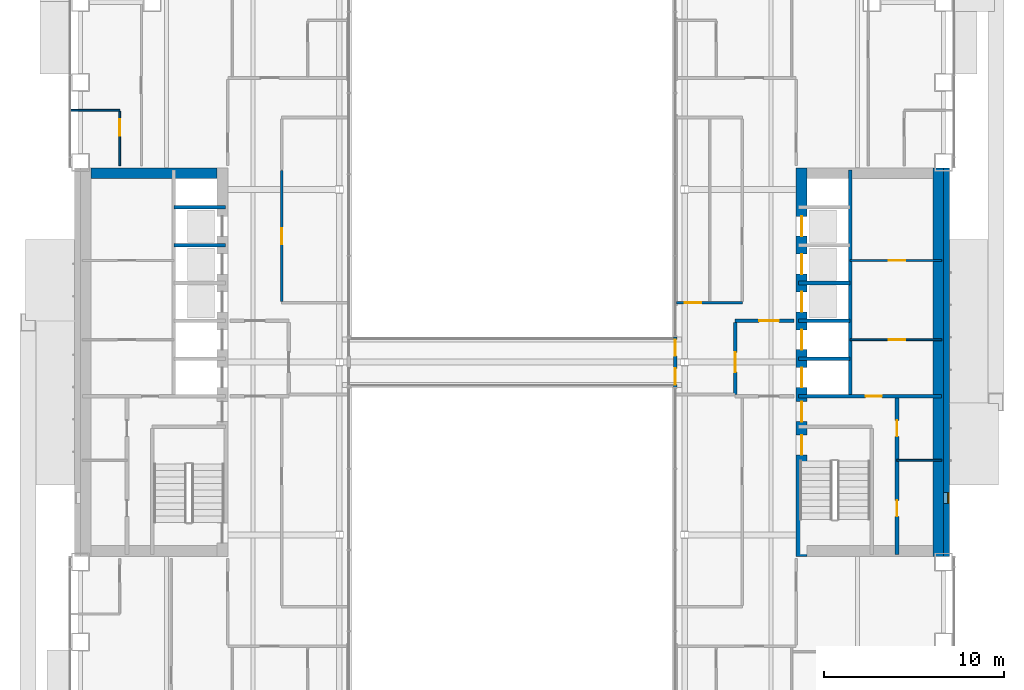
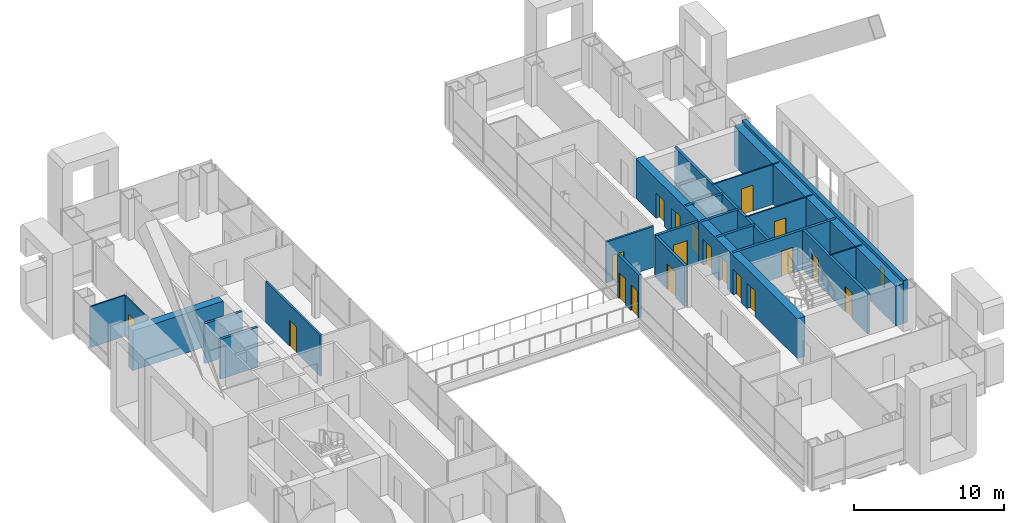
# One storey, part 19 of 26: 22 walls, 19 doors, 1 window, 20 openings.
"""IFC4 building model written with IfcOpenShell, lengths in metres."""

from ifc_helpers import new_model, si_unit, direction, frame, frame_2d, origin, place, context, subcontext, project, spatial, rectangle, extrude, material, layer, layer_set, type_object, element, fill, save


model = new_model("IFC4")

# Units and contexts
model_context = context("Model", 3, precision=1e-05, world=origin(), true_north=direction((0.0, 1.0)))
body_context = subcontext(model_context, "Body", "Model", "MODEL_VIEW")
ifc_project = project(units=[si_unit("LENGTHUNIT", "METRE"), si_unit("AREAUNIT", "SQUARE_METRE"), si_unit("VOLUMEUNIT", "CUBIC_METRE"), si_unit("PLANEANGLEUNIT", "RADIAN"), si_unit("MASSUNIT", "GRAM", prefix="KILO")], contexts=[model_context])

# Site, building, storey
site_placement = place(None, origin())
site = spatial("IfcSite", under=ifc_project, at=site_placement, CompositionType="ELEMENT")
building_placement = place(site_placement, origin())
building = spatial("IfcBuilding", under=site, at=building_placement, Name="Cobrizo Arcos Hotel Tower", CompositionType="ELEMENT")
storey_placement = place(building_placement, frame((0.0, 0.0, 67.0)))
storey = spatial("IfcBuildingStorey", under=building, at=storey_placement, Name="L15", CompositionType="ELEMENT", Elevation=67.0)

# Wall, opening, door
ifc_material_1 = material(Name="Gypsum board partition")
ifc_layer_1 = layer(ifc_material_1, 0.14990234375)
ifc_layer_set_1 = layer_set([ifc_layer_1], Name="Corridor wall EI 60 150")
wall_type_1 = type_object("IfcWallType", Name="Corridor wall EI 60 150", PredefinedType="PARTITIONING", material=ifc_layer_set_1)
wall_1_placement = place(storey_placement, frame((9.14990234375, 3.300048828125, 0.0), z_axis=(0.0, 0.0, 1.0), x_axis=(1.0, 0.0, 0.0)))
wall_1 = element("IfcWall", 1, at=wall_1_placement, inside=storey, type_object=wall_type_1, Name="Partition 029", PredefinedType="PARTITIONING", context=body_context, shape_type="SweptSolid", body=[
    extrude(rectangle(XDim=3.650146484375, YDim=0.14990234375, at=frame_2d((1.8251953125, 0.0))), origin(), (0.0, 0.0, 1.0), 3.35009765625),
])
opening_1_placement = place(wall_1_placement, frame((0.4619140625, 0.0, 0.0)))
opening_1 = element("IfcOpeningElement", 2, at=opening_1_placement, cuts=wall_1, Name="Opening ED-09", PredefinedType="OPENING", context=body_context, shape_type="SweptSolid", body=[
    extrude(rectangle(XDim=0.89990234375, YDim=2.10009765625, at=frame_2d((0.449951171875, 1.050048828125))), frame((0.0, 0.0869140625, 0.0), z_axis=(0.0, -1.0, 0.0), x_axis=(1.0, 0.0, 0.0)), (0.0, 0.0, 1.0), 0.173828125),
])
ifc_material_2 = material(Name="Timber door leaf", Category="wood")
door_type_1 = type_object("IfcDoorType", Name="En-suite door 900x2100", OperationType="SINGLE_SWING_LEFT", PredefinedType="DOOR", material=ifc_material_2)
door_1_placement = place(opening_1_placement, origin())
door_1 = element("IfcDoor", 3, at=door_1_placement, inside=storey, type_object=door_type_1, Name="Door ED-09", OperationType="SINGLE_SWING_LEFT", OverallHeight=2.10009765625, OverallWidth=0.89990234375, PredefinedType="DOOR", context=body_context, shape_type="SweptSolid", body=[
    extrude(rectangle(XDim=0.89990234375, YDim=2.10009765625, at=frame_2d((0.449951171875, 1.050048828125))), frame((0.0, 0.02490234375, 0.0), z_axis=(0.0, -1.0, 0.0), x_axis=(1.0, 0.0, 0.0)), (0.0, 0.0, 1.0), 0.050048828125),
])
fill(opening_1, door_1)

wall_2_placement = place(storey_placement, frame((-12.800048828125, 3.375, 0.0), z_axis=(0.0, 0.0, 1.0), x_axis=(0.0, 1.0, 0.0)))
wall_2 = element("IfcWall", 4, at=wall_2_placement, inside=storey, type_object=wall_type_1, Name="Partition 058", PredefinedType="PARTITIONING", context=body_context, shape_type="SweptSolid", body=[
    extrude(rectangle(XDim=7.27490234375, YDim=0.14990234375, at=frame_2d((3.637451171875, 0.0))), origin(), (0.0, 0.0, 1.0), 3.35009765625),
])
opening_2_placement = place(wall_2_placement, frame((3.175048828125, 0.0, 0.0)))
opening_2 = element("IfcOpeningElement", 5, at=opening_2_placement, cuts=wall_2, Name="Opening RD-15", PredefinedType="OPENING", context=body_context, shape_type="SweptSolid", body=[
    extrude(rectangle(XDim=0.89990234375, YDim=2.10009765625, at=frame_2d((0.449951171875, 1.050048828125))), frame((0.0, 0.0869140625, 0.0), z_axis=(0.0, -1.0, 0.0), x_axis=(1.0, 0.0, 0.0)), (0.0, 0.0, 1.0), 0.173828125),
])
door_type_2 = type_object("IfcDoorType", Name="Room door FD30 900x2100", OperationType="SINGLE_SWING_LEFT", PredefinedType="DOOR", material=ifc_material_2)
door_2_placement = place(opening_2_placement, origin())
door_2 = element("IfcDoor", 6, at=door_2_placement, inside=storey, type_object=door_type_2, Name="Door RD-15", OperationType="SINGLE_SWING_LEFT", OverallHeight=2.10009765625, OverallWidth=0.89990234375, PredefinedType="DOOR", context=body_context, shape_type="SweptSolid", body=[
    extrude(rectangle(XDim=0.89990234375, YDim=2.10009765625, at=frame_2d((0.449951171875, 1.050048828125))), frame((0.0, 0.02490234375, 0.0), z_axis=(0.0, -1.0, 0.0), x_axis=(1.0, 0.0, 0.0)), (0.0, 0.0, 1.0), 0.050048828125),
])
fill(opening_2, door_2)

# Wall, opening, window
ifc_material_3 = material(Name="Aluminium composite panel pale metal", Category="aluminium")
ifc_layer_2 = layer(ifc_material_3, 0.324951171875)
ifc_layer_set_2 = layer_set([ifc_layer_2], Name="EW-1 insulated panel wall 325")
wall_type_2 = type_object("IfcWallType", Name="EW-1 insulated panel wall 325", PredefinedType="SOLIDWALL", material=ifc_layer_set_2)
wall_3_placement = place(storey_placement, frame((24.16259765625, -10.800048828125, 0.0), z_axis=(0.0, 0.0, 1.0), x_axis=(0.0, 1.0, 0.0)))
wall_3 = element("IfcWall", 7, at=wall_3_placement, inside=storey, type_object=wall_type_2, Name="Core face wall L15 E", PredefinedType="SOLIDWALL", context=body_context, shape_type="SweptSolid", body=[
    extrude(rectangle(XDim=21.60009765625, YDim=0.324951171875, at=frame_2d((10.800048828125, 0.0))), origin(), (0.0, 0.0, 1.0), 3.5),
])
opening_3_placement = place(wall_3_placement, frame((2.949951171875, 0.0, 1.0)))
opening_3 = element("IfcOpeningElement", 8, at=opening_3_placement, cuts=wall_3, Name="Opening W-25", PredefinedType="OPENING", context=body_context, shape_type="SweptSolid", body=[
    extrude(rectangle(XDim=0.60009765625, YDim=1.5, at=frame_2d((0.300048828125, 0.75))), frame((0.0, 0.174560546875, 0.0), z_axis=(0.0, -1.0, 0.0), x_axis=(1.0, 0.0, 0.0)), (0.0, 0.0, 1.0), 0.348876953125),
])
ifc_material_4 = material(Name="Aluminium 6063-T6 and clear laminated glass", Category="aluminium")
window_type = type_object("IfcWindowType", Name="W-C1 core stair slot window 600x1500", PartitioningType="SINGLE_PANEL", PredefinedType="WINDOW", material=ifc_material_4)
window_placement = place(opening_3_placement, origin())
window = element("IfcWindow", 9, at=window_placement, inside=storey, type_object=window_type, Name="Core face wall L15 E window W-25", OverallHeight=1.5, OverallWidth=0.60009765625, PartitioningType="SINGLE_PANEL", PredefinedType="WINDOW", context=body_context, shape_type="SweptSolid", body=[
    extrude(rectangle(XDim=0.60009765625, YDim=1.5, at=frame_2d((0.300048828125, 0.75))), frame((0.0, -0.072509765625, 0.0), z_axis=(0.0, -1.0, 0.0), x_axis=(1.0, 0.0, 0.0)), (0.0, 0.0, 1.0), 0.06005859375),
])
fill(opening_3, window)

# Wall, openings, doors
ifc_material_5 = material(Name="Aluminium 6063-T6 anodised pale", Category="aluminium")
ifc_layer_3 = layer(ifc_material_5, 0.199951171875)
ifc_layer_set_3 = layer_set([ifc_layer_3], Name="EW-4 sky bridge door frame wall")
wall_type_3 = type_object("IfcWallType", Name="EW-4 sky bridge door frame wall", PredefinedType="SOLIDWALL", material=ifc_layer_set_3)
wall_4_placement = place(storey_placement, frame((9.074951171875, -1.39990234375, 0.0), z_axis=(0.0, 0.0, 1.0), x_axis=(0.0, 1.0, 0.0)))
wall_4 = element("IfcWall", 10, at=wall_4_placement, inside=storey, type_object=wall_type_3, Name="Sky bridge door wall A E", PredefinedType="SOLIDWALL", context=body_context, shape_type="SweptSolid", body=[
    extrude(rectangle(XDim=2.7998046875, YDim=0.199951171875, at=frame_2d((1.39990234375, 0.0))), origin(), (0.0, 0.0, 1.0), 3.5),
])
opening_4_placement = place(wall_4_placement, frame((0.14990234375, 0.0, 0.0)))
opening_4 = element("IfcOpeningElement", 11, at=opening_4_placement, cuts=wall_4, Name="Opening E-24", PredefinedType="OPENING", context=body_context, shape_type="SweptSolid", body=[
    extrude(rectangle(XDim=0.89990234375, YDim=2.10009765625, at=frame_2d((0.449951171875, 1.050048828125))), frame((0.0, 0.112060546875, 0.0), z_axis=(0.0, -1.0, 0.0), x_axis=(1.0, 0.0, 0.0)), (0.0, 0.0, 1.0), 0.223876953125),
])
opening_5_placement = place(wall_4_placement, frame((1.75, 0.0, 0.0)))
opening_5 = element("IfcOpeningElement", 12, at=opening_5_placement, cuts=wall_4, Name="Opening E-25", PredefinedType="OPENING", context=body_context, shape_type="SweptSolid", body=[
    extrude(rectangle(XDim=0.89990234375, YDim=2.10009765625, at=frame_2d((0.449951171875, 1.050048828125))), frame((0.0, 0.112060546875, 0.0), z_axis=(0.0, -1.0, 0.0), x_axis=(1.0, 0.0, 0.0)), (0.0, 0.0, 1.0), 0.223876953125),
])
door_type_3 = type_object("IfcDoorType", Name="D-B2 sky bridge single door 900x2100", OperationType="SINGLE_SWING_LEFT", PredefinedType="DOOR", material=ifc_material_4)
door_3_placement = place(opening_4_placement, origin())
door_3 = element("IfcDoor", 13, at=door_3_placement, inside=storey, type_object=door_type_3, Name="Sky bridge door wall A E door E-24", OperationType="SINGLE_SWING_LEFT", OverallHeight=2.10009765625, OverallWidth=0.89990234375, PredefinedType="DOOR", context=body_context, shape_type="SweptSolid", body=[
    extrude(rectangle(XDim=0.89990234375, YDim=2.10009765625, at=frame_2d((0.449951171875, 1.050048828125))), frame((0.0, 0.02490234375, 0.0), z_axis=(0.0, -1.0, 0.0), x_axis=(1.0, 0.0, 0.0)), (0.0, 0.0, 1.0), 0.050048828125),
])
fill(opening_4, door_3)
door_4_placement = place(opening_5_placement, origin())
door_4 = element("IfcDoor", 14, at=door_4_placement, inside=storey, type_object=door_type_3, Name="Sky bridge door wall A E door E-25", OperationType="SINGLE_SWING_RIGHT", OverallHeight=2.10009765625, OverallWidth=0.89990234375, PredefinedType="DOOR", context=body_context, shape_type="SweptSolid", body=[
    extrude(rectangle(XDim=0.89990234375, YDim=2.10009765625, at=frame_2d((0.449951171875, 1.050048828125))), frame((0.0, 0.02490234375, 0.0), z_axis=(0.0, -1.0, 0.0), x_axis=(1.0, 0.0, 0.0)), (0.0, 0.0, 1.0), 0.050048828125),
])
fill(opening_5, door_4)

# Wall
ifc_layer_4 = layer(ifc_material_1, 0.10009765625)
ifc_layer_set_4 = layer_set([ifc_layer_4], Name="Partition EI 30 100")
wall_type_4 = type_object("IfcWallType", Name="Partition EI 30 100", PredefinedType="PARTITIONING", material=ifc_layer_set_4)
wall_5_placement = place(storey_placement, frame((21.39990234375, -5.449951171875, 0.0), z_axis=(0.0, 0.0, 1.0), x_axis=(1.0, 0.0, 0.0)))
element("IfcWall", 15, at=wall_5_placement, inside=storey, type_object=wall_type_4, Name="Partition 011", PredefinedType="PARTITIONING", context=body_context, shape_type="SweptSolid", body=[
    extrude(rectangle(XDim=2.47998046875, YDim=0.10009765625, at=frame_2d((1.239990234375, 0.0))), origin(), (0.0, 0.0, 1.0), 3.25),
])

# Wall, opening, door
wall_6_placement = place(storey_placement, frame((18.800048828125, 1.25, 0.0), z_axis=(0.0, 0.0, 1.0), x_axis=(1.0, 0.0, 0.0)))
wall_6 = element("IfcWall", 16, at=wall_6_placement, inside=storey, type_object=wall_type_4, Name="Partition 023", PredefinedType="PARTITIONING", context=body_context, shape_type="SweptSolid", body=[
    extrude(rectangle(XDim=5.079833984375, YDim=0.10009765625, at=frame_2d((2.5400390625, 0.0))), origin(), (0.0, 0.0, 1.0), 3.25),
])
opening_6_placement = place(wall_6_placement, frame((2.14990234375, 0.0, 0.0)))
opening_6 = element("IfcOpeningElement", 17, at=opening_6_placement, cuts=wall_6, Name="Opening RD-09", PredefinedType="OPENING", context=body_context, shape_type="SweptSolid", body=[
    extrude(rectangle(XDim=0.89990234375, YDim=2.10009765625, at=frame_2d((0.449951171875, 1.050048828125))), frame((0.0, 0.06201171875, 0.0), z_axis=(0.0, -1.0, 0.0), x_axis=(1.0, 0.0, 0.0)), (0.0, 0.0, 1.0), 0.1240234375),
])
door_5_placement = place(opening_6_placement, origin())
door_5 = element("IfcDoor", 18, at=door_5_placement, inside=storey, type_object=door_type_2, Name="Door RD-09", OperationType="SINGLE_SWING_RIGHT", OverallHeight=2.10009765625, OverallWidth=0.89990234375, PredefinedType="DOOR", context=body_context, shape_type="SweptSolid", body=[
    extrude(rectangle(XDim=0.89990234375, YDim=2.10009765625, at=frame_2d((0.449951171875, 1.050048828125))), frame((0.0, 0.02490234375, 0.0), z_axis=(0.0, -1.0, 0.0), x_axis=(1.0, 0.0, 0.0)), (0.0, 0.0, 1.0), 0.050048828125),
])
fill(opening_6, door_5)

wall_7_placement = place(storey_placement, frame((18.800048828125, 5.64990234375, 0.0), z_axis=(0.0, 0.0, 1.0), x_axis=(1.0, 0.0, 0.0)))
wall_7 = element("IfcWall", 19, at=wall_7_placement, inside=storey, type_object=wall_type_4, Name="Partition 033", PredefinedType="PARTITIONING", context=body_context, shape_type="SweptSolid", body=[
    extrude(rectangle(XDim=5.079833984375, YDim=0.10009765625, at=frame_2d((2.5400390625, 0.0))), origin(), (0.0, 0.0, 1.0), 3.25),
])
opening_7_placement = place(wall_7_placement, frame((2.14990234375, 0.0, 0.0)))
opening_7 = element("IfcOpeningElement", 20, at=opening_7_placement, cuts=wall_7, Name="Opening RD-10", PredefinedType="OPENING", context=body_context, shape_type="SweptSolid", body=[
    extrude(rectangle(XDim=0.89990234375, YDim=2.10009765625, at=frame_2d((0.449951171875, 1.050048828125))), frame((0.0, 0.06201171875, 0.0), z_axis=(0.0, -1.0, 0.0), x_axis=(1.0, 0.0, 0.0)), (0.0, 0.0, 1.0), 0.1240234375),
])
door_6_placement = place(opening_7_placement, origin())
door_6 = element("IfcDoor", 21, at=door_6_placement, inside=storey, type_object=door_type_2, Name="Door RD-10", OperationType="SINGLE_SWING_LEFT", OverallHeight=2.10009765625, OverallWidth=0.89990234375, PredefinedType="DOOR", context=body_context, shape_type="SweptSolid", body=[
    extrude(rectangle(XDim=0.89990234375, YDim=2.10009765625, at=frame_2d((0.449951171875, 1.050048828125))), frame((0.0, 0.02490234375, 0.0), z_axis=(0.0, -1.0, 0.0), x_axis=(1.0, 0.0, 0.0)), (0.0, 0.0, 1.0), 0.050048828125),
])
fill(opening_7, door_6)

# Wall
wall_8_placement = place(storey_placement, frame((-24.530029296875, 14.0, 0.0), z_axis=(0.0, 0.0, 1.0), x_axis=(1.0, 0.0, 0.0)))
element("IfcWall", 22, at=wall_8_placement, inside=storey, type_object=wall_type_4, Name="Partition 040", PredefinedType="PARTITIONING", context=body_context, shape_type="SweptSolid", body=[
    extrude(rectangle(XDim=2.72998046875, YDim=0.10009765625, at=frame_2d((1.364990234375, 0.0))), origin(), (0.0, 0.0, 1.0), 3.35009765625),
])

# Wall, opening, door
wall_9_placement = place(storey_placement, frame((-21.800048828125, 10.919921875, 0.0), z_axis=(0.0, 0.0, 1.0), x_axis=(0.0, 1.0, 0.0)))
wall_9 = element("IfcWall", 23, at=wall_9_placement, inside=storey, type_object=wall_type_4, Name="Partition 047", PredefinedType="PARTITIONING", context=body_context, shape_type="SweptSolid", body=[
    extrude(rectangle(XDim=3.030029296875, YDim=0.10009765625, at=frame_2d((1.51513671875, 0.0))), origin(), (0.0, 0.0, 1.0), 3.35009765625),
])
opening_8_placement = place(wall_9_placement, frame((1.669921875, 0.0, 0.0)))
opening_8 = element("IfcOpeningElement", 24, at=opening_8_placement, cuts=wall_9, Name="Opening ED-06", PredefinedType="OPENING", context=body_context, shape_type="SweptSolid", body=[
    extrude(rectangle(XDim=0.89990234375, YDim=2.10009765625, at=frame_2d((0.449951171875, 1.050048828125))), frame((0.0, 0.06201171875, 0.0), z_axis=(0.0, -1.0, 0.0), x_axis=(1.0, 0.0, 0.0)), (0.0, 0.0, 1.0), 0.1240234375),
])
door_7_placement = place(opening_8_placement, origin())
door_7 = element("IfcDoor", 25, at=door_7_placement, inside=storey, type_object=door_type_1, Name="Door ED-06", OperationType="SINGLE_SWING_RIGHT", OverallHeight=2.10009765625, OverallWidth=0.89990234375, PredefinedType="DOOR", context=body_context, shape_type="SweptSolid", body=[
    extrude(rectangle(XDim=0.89990234375, YDim=2.10009765625, at=frame_2d((0.449951171875, 1.050048828125))), frame((0.0, 0.02490234375, 0.0), z_axis=(0.0, -1.0, 0.0), x_axis=(1.0, 0.0, 0.0)), (0.0, 0.0, 1.0), 0.050048828125),
])
fill(opening_8, door_7)

# Wall, openings, doors
ifc_material_6 = material(Name="Concrete f'c 60 MPa", Category="concrete")
ifc_layer_5 = layer(ifc_material_6, 0.60009765625)
ifc_layer_set_5 = layer_set([ifc_layer_5], Name="RC core wall 600 f'c 60")
wall_type_5 = type_object("IfcWallType", Name="RC core wall 600 f'c 60", PredefinedType="SHEAR", material=ifc_layer_set_5)
wall_10_placement = place(storey_placement, frame((16.10009765625, -10.800048828125, 0.0), z_axis=(0.0, 0.0, 1.0), x_axis=(0.0, 1.0, 0.0)))
wall_10 = element("IfcWall", 26, at=wall_10_placement, inside=storey, type_object=wall_type_5, Name="Core wall CW1, east core, inner face, L15", PredefinedType="SHEAR", context=body_context, shape_type="SweptSolid", body=[
    extrude(rectangle(XDim=21.60009765625, YDim=0.60009765625, at=frame_2d((10.800048828125, 0.0))), origin(), (0.0, 0.0, 1.0), 3.25),
])
opening_9_placement = place(wall_10_placement, frame((9.39990234375, 0.0, 0.0)))
opening_9 = element("IfcOpeningElement", 27, at=opening_9_placement, cuts=wall_10, Name="Opening LD-06", PredefinedType="OPENING", context=body_context, shape_type="SweptSolid", body=[
    extrude(rectangle(XDim=1.10009765625, YDim=2.10009765625, at=frame_2d((0.550048828125, 1.050048828125))), frame((0.0, 0.31201171875, 0.0), z_axis=(0.0, -1.0, 0.0), x_axis=(1.0, 0.0, 0.0)), (0.0, 0.0, 1.0), 0.6240234375),
])
opening_10_placement = place(wall_10_placement, frame((11.5, 0.0, 0.0)))
opening_10 = element("IfcOpeningElement", 28, at=opening_10_placement, cuts=wall_10, Name="Opening LD-07", PredefinedType="OPENING", context=body_context, shape_type="SweptSolid", body=[
    extrude(rectangle(XDim=1.10009765625, YDim=2.10009765625, at=frame_2d((0.550048828125, 1.050048828125))), frame((0.0, 0.31201171875, 0.0), z_axis=(0.0, -1.0, 0.0), x_axis=(1.0, 0.0, 0.0)), (0.0, 0.0, 1.0), 0.6240234375),
])
opening_11_placement = place(wall_10_placement, frame((13.60009765625, 0.0, 0.0)))
opening_11 = element("IfcOpeningElement", 29, at=opening_11_placement, cuts=wall_10, Name="Opening LD-08", PredefinedType="OPENING", context=body_context, shape_type="SweptSolid", body=[
    extrude(rectangle(XDim=1.10009765625, YDim=2.10009765625, at=frame_2d((0.550048828125, 1.050048828125))), frame((0.0, 0.31201171875, 0.0), z_axis=(0.0, -1.0, 0.0), x_axis=(1.0, 0.0, 0.0)), (0.0, 0.0, 1.0), 0.6240234375),
])
opening_12_placement = place(wall_10_placement, frame((15.699951171875, 0.0, 0.0)))
opening_12 = element("IfcOpeningElement", 30, at=opening_12_placement, cuts=wall_10, Name="Opening LD-09", PredefinedType="OPENING", context=body_context, shape_type="SweptSolid", body=[
    extrude(rectangle(XDim=1.10009765625, YDim=2.10009765625, at=frame_2d((0.550048828125, 1.050048828125))), frame((0.0, 0.31201171875, 0.0), z_axis=(0.0, -1.0, 0.0), x_axis=(1.0, 0.0, 0.0)), (0.0, 0.0, 1.0), 0.6240234375),
])
opening_13_placement = place(wall_10_placement, frame((17.800048828125, 0.0, 0.0)))
opening_13 = element("IfcOpeningElement", 31, at=opening_13_placement, cuts=wall_10, Name="Opening LD-10", PredefinedType="OPENING", context=body_context, shape_type="SweptSolid", body=[
    extrude(rectangle(XDim=1.10009765625, YDim=2.10009765625, at=frame_2d((0.550048828125, 1.050048828125))), frame((0.0, 0.31201171875, 0.0), z_axis=(0.0, -1.0, 0.0), x_axis=(1.0, 0.0, 0.0)), (0.0, 0.0, 1.0), 0.6240234375),
])
opening_14_placement = place(wall_10_placement, frame((5.64208984375, 0.0, 0.0)))
opening_14 = element("IfcOpeningElement", 32, at=opening_14_placement, cuts=wall_10, Name="Opening SD-02", PredefinedType="OPENING", context=body_context, shape_type="SweptSolid", body=[
    extrude(rectangle(XDim=1.10009765625, YDim=2.10009765625, at=frame_2d((0.550048828125, 1.050048828125))), frame((0.0, 0.31201171875, 0.0), z_axis=(0.0, -1.0, 0.0), x_axis=(1.0, 0.0, 0.0)), (0.0, 0.0, 1.0), 0.6240234375),
])
opening_15_placement = place(wall_10_placement, frame((7.5, 0.0, 0.0)))
opening_15 = element("IfcOpeningElement", 33, at=opening_15_placement, cuts=wall_10, Name="Opening FD-05", PredefinedType="OPENING", context=body_context, shape_type="SweptSolid", body=[
    extrude(rectangle(XDim=1.10009765625, YDim=2.10009765625, at=frame_2d((0.550048828125, 1.050048828125))), frame((0.0, 0.31201171875, 0.0), z_axis=(0.0, -1.0, 0.0), x_axis=(1.0, 0.0, 0.0)), (0.0, 0.0, 1.0), 0.6240234375),
])
ifc_material_7 = material(Name="Steel door leaf", Category="steel")
door_type_4 = type_object("IfcDoorType", Name="Fire door FD60 1100x2100", OperationType="SINGLE_SWING_LEFT", PredefinedType="DOOR", material=ifc_material_7)
door_8_placement = place(opening_15_placement, origin())
door_8 = element("IfcDoor", 34, at=door_8_placement, inside=storey, type_object=door_type_4, Name="Door FD-05", OperationType="SINGLE_SWING_RIGHT", OverallHeight=2.10009765625, OverallWidth=1.10009765625, PredefinedType="DOOR", context=body_context, shape_type="SweptSolid", body=[
    extrude(rectangle(XDim=1.10009765625, YDim=2.10009765625, at=frame_2d((0.550048828125, 1.050048828125))), frame((0.0, 0.02490234375, 0.0), z_axis=(0.0, -1.0, 0.0), x_axis=(1.0, 0.0, 0.0)), (0.0, 0.0, 1.0), 0.050048828125),
])
fill(opening_15, door_8)
door_type_5 = type_object("IfcDoorType", Name="Lift landing door 1100x2100", OperationType="SLIDING_TO_LEFT", PredefinedType="DOOR", material=ifc_material_7)
door_9_placement = place(opening_9_placement, origin())
door_9 = element("IfcDoor", 35, at=door_9_placement, inside=storey, type_object=door_type_5, Name="Lift landing door LD-06", OperationType="SLIDING_TO_LEFT", OverallHeight=2.10009765625, OverallWidth=1.10009765625, PredefinedType="DOOR", context=body_context, shape_type="SweptSolid", body=[
    extrude(rectangle(XDim=1.10009765625, YDim=2.10009765625, at=frame_2d((0.550048828125, 1.050048828125))), frame((0.0, 0.02490234375, 0.0), z_axis=(0.0, -1.0, 0.0), x_axis=(1.0, 0.0, 0.0)), (0.0, 0.0, 1.0), 0.050048828125),
])
fill(opening_9, door_9)
door_10_placement = place(opening_10_placement, origin())
door_10 = element("IfcDoor", 36, at=door_10_placement, inside=storey, type_object=door_type_5, Name="Lift landing door LD-07", OperationType="SLIDING_TO_LEFT", OverallHeight=2.10009765625, OverallWidth=1.10009765625, PredefinedType="DOOR", context=body_context, shape_type="SweptSolid", body=[
    extrude(rectangle(XDim=1.10009765625, YDim=2.10009765625, at=frame_2d((0.550048828125, 1.050048828125))), frame((0.0, 0.02490234375, 0.0), z_axis=(0.0, -1.0, 0.0), x_axis=(1.0, 0.0, 0.0)), (0.0, 0.0, 1.0), 0.050048828125),
])
fill(opening_10, door_10)
door_11_placement = place(opening_11_placement, origin())
door_11 = element("IfcDoor", 37, at=door_11_placement, inside=storey, type_object=door_type_5, Name="Lift landing door LD-08", OperationType="SLIDING_TO_LEFT", OverallHeight=2.10009765625, OverallWidth=1.10009765625, PredefinedType="DOOR", context=body_context, shape_type="SweptSolid", body=[
    extrude(rectangle(XDim=1.10009765625, YDim=2.10009765625, at=frame_2d((0.550048828125, 1.050048828125))), frame((0.0, 0.02490234375, 0.0), z_axis=(0.0, -1.0, 0.0), x_axis=(1.0, 0.0, 0.0)), (0.0, 0.0, 1.0), 0.050048828125),
])
fill(opening_11, door_11)
door_12_placement = place(opening_12_placement, origin())
door_12 = element("IfcDoor", 38, at=door_12_placement, inside=storey, type_object=door_type_5, Name="Lift landing door LD-09", OperationType="SLIDING_TO_LEFT", OverallHeight=2.10009765625, OverallWidth=1.10009765625, PredefinedType="DOOR", context=body_context, shape_type="SweptSolid", body=[
    extrude(rectangle(XDim=1.10009765625, YDim=2.10009765625, at=frame_2d((0.550048828125, 1.050048828125))), frame((0.0, 0.02490234375, 0.0), z_axis=(0.0, -1.0, 0.0), x_axis=(1.0, 0.0, 0.0)), (0.0, 0.0, 1.0), 0.050048828125),
])
fill(opening_12, door_12)
door_13_placement = place(opening_13_placement, origin())
door_13 = element("IfcDoor", 39, at=door_13_placement, inside=storey, type_object=door_type_5, Name="Lift landing door LD-10", OperationType="SLIDING_TO_LEFT", OverallHeight=2.10009765625, OverallWidth=1.10009765625, PredefinedType="DOOR", context=body_context, shape_type="SweptSolid", body=[
    extrude(rectangle(XDim=1.10009765625, YDim=2.10009765625, at=frame_2d((0.550048828125, 1.050048828125))), frame((0.0, 0.02490234375, 0.0), z_axis=(0.0, -1.0, 0.0), x_axis=(1.0, 0.0, 0.0)), (0.0, 0.0, 1.0), 0.050048828125),
])
fill(opening_13, door_13)
door_type_6 = type_object("IfcDoorType", Name="Stair door FD60S 1100x2100", OperationType="SINGLE_SWING_LEFT", PredefinedType="DOOR", material=ifc_material_7)
door_14_placement = place(opening_14_placement, origin())
door_14 = element("IfcDoor", 40, at=door_14_placement, inside=storey, type_object=door_type_6, Name="Door SD-02", OperationType="SINGLE_SWING_LEFT", OverallHeight=2.10009765625, OverallWidth=1.10009765625, PredefinedType="DOOR", context=body_context, shape_type="SweptSolid", body=[
    extrude(rectangle(XDim=1.10009765625, YDim=2.10009765625, at=frame_2d((0.550048828125, 1.050048828125))), frame((0.0, 0.02490234375, 0.0), z_axis=(0.0, -1.0, 0.0), x_axis=(1.0, 0.0, 0.0)), (0.0, 0.0, 1.0), 0.050048828125),
])
fill(opening_14, door_14)

# Walls
wall_11_placement = place(storey_placement, frame((23.699951171875, -10.800048828125, 0.0), z_axis=(0.0, 0.0, 1.0), x_axis=(0.0, 1.0, 0.0)))
element("IfcWall", 41, at=wall_11_placement, inside=storey, type_object=wall_type_5, Name="Core wall CW1, east core, outer face, L15", PredefinedType="SHEAR", context=body_context, shape_type="SweptSolid", body=[
    extrude(rectangle(XDim=21.60009765625, YDim=0.60009765625, at=frame_2d((10.800048828125, 0.0))), origin(), (0.0, 0.0, 1.0), 3.25),
])
wall_12_placement = place(storey_placement, frame((-23.39990234375, 10.5, 0.0), z_axis=(0.0, 0.0, 1.0), x_axis=(1.0, 0.0, 0.0)))
element("IfcWall", 42, at=wall_12_placement, inside=storey, type_object=wall_type_5, Name="Core wall CW1, west core, north end, L15", PredefinedType="SHEAR", context=body_context, shape_type="SweptSolid", body=[
    extrude(rectangle(XDim=7.0, YDim=0.60009765625, at=frame_2d((3.5, 0.0))), origin(), (0.0, 0.0, 1.0), 3.25),
])

# Wall, opening, door
ifc_layer_6 = layer(ifc_material_1, 0.199951171875)
ifc_layer_set_6 = layer_set([ifc_layer_6], Name="Shaft wall EI 120 200")
wall_type_6 = type_object("IfcWallType", Name="Shaft wall EI 120 200", PredefinedType="PARTITIONING", material=ifc_layer_set_6)
wall_13_placement = place(storey_placement, frame((15.919921875, -1.89990234375, 0.0), z_axis=(0.0, 0.0, 1.0), x_axis=(1.0, 0.0, 0.0)))
wall_13 = element("IfcWall", 43, at=wall_13_placement, inside=storey, type_object=wall_type_6, Name="Partition 017", PredefinedType="PARTITIONING", context=body_context, shape_type="SweptSolid", body=[
    extrude(rectangle(XDim=7.9599609375, YDim=0.199951171875, at=frame_2d((3.97998046875, 0.0))), origin(), (0.0, 0.0, 1.0), 3.25),
])
opening_16_placement = place(wall_13_placement, frame((3.739990234375, 0.0, 0.0)))
opening_16 = element("IfcOpeningElement", 44, at=opening_16_placement, cuts=wall_13, Name="Opening RD-08", PredefinedType="OPENING", context=body_context, shape_type="SweptSolid", body=[
    extrude(rectangle(XDim=0.89990234375, YDim=2.10009765625, at=frame_2d((0.449951171875, 1.050048828125))), frame((0.0, 0.112060546875, 0.0), z_axis=(0.0, -1.0, 0.0), x_axis=(1.0, 0.0, 0.0)), (0.0, 0.0, 1.0), 0.223876953125),
])
door_15_placement = place(opening_16_placement, origin())
door_15 = element("IfcDoor", 45, at=door_15_placement, inside=storey, type_object=door_type_2, Name="Door RD-08", OperationType="SINGLE_SWING_LEFT", OverallHeight=2.10009765625, OverallWidth=0.89990234375, PredefinedType="DOOR", context=body_context, shape_type="SweptSolid", body=[
    extrude(rectangle(XDim=0.89990234375, YDim=2.10009765625, at=frame_2d((0.449951171875, 1.050048828125))), frame((0.0, 0.02490234375, 0.0), z_axis=(0.0, -1.0, 0.0), x_axis=(1.0, 0.0, 0.0)), (0.0, 0.0, 1.0), 0.050048828125),
])
fill(opening_16, door_15)

# Wall
wall_14_placement = place(storey_placement, frame((15.919921875, 0.199951171875, 0.0), z_axis=(0.0, 0.0, 1.0), x_axis=(1.0, 0.0, 0.0)))
element("IfcWall", 46, at=wall_14_placement, inside=storey, type_object=wall_type_6, Name="Partition 021", PredefinedType="PARTITIONING", context=body_context, shape_type="SweptSolid", body=[
    extrude(rectangle(XDim=2.880126953125, YDim=0.199951171875, at=frame_2d((1.43994140625, 0.0))), origin(), (0.0, 0.0, 1.0), 3.25),
])

# Wall, opening, door
wall_15_placement = place(storey_placement, frame((12.39990234375, 2.300048828125, 0.0), z_axis=(0.0, 0.0, 1.0), x_axis=(1.0, 0.0, 0.0)))
wall_15 = element("IfcWall", 47, at=wall_15_placement, inside=storey, type_object=wall_type_6, Name="Partition 026", PredefinedType="PARTITIONING", context=body_context, shape_type="SweptSolid", body=[
    extrude(rectangle(XDim=3.280029296875, YDim=0.199951171875, at=frame_2d((1.64013671875, 0.0))), origin(), (0.0, 0.0, 1.0), 3.35009765625),
])
opening_17_placement = place(wall_15_placement, frame((1.340087890625, 0.0, 0.0)))
opening_17 = element("IfcOpeningElement", 48, at=opening_17_placement, cuts=wall_15, Name="Opening FD-08", PredefinedType="OPENING", context=body_context, shape_type="SweptSolid", body=[
    extrude(rectangle(XDim=1.10009765625, YDim=2.10009765625, at=frame_2d((0.550048828125, 1.050048828125))), frame((0.0, 0.112060546875, 0.0), z_axis=(0.0, -1.0, 0.0), x_axis=(1.0, 0.0, 0.0)), (0.0, 0.0, 1.0), 0.223876953125),
])
door_16_placement = place(opening_17_placement, origin())
door_16 = element("IfcDoor", 49, at=door_16_placement, inside=storey, type_object=door_type_4, Name="Door FD-08", OperationType="SINGLE_SWING_RIGHT", OverallHeight=2.10009765625, OverallWidth=1.10009765625, PredefinedType="DOOR", context=body_context, shape_type="SweptSolid", body=[
    extrude(rectangle(XDim=1.10009765625, YDim=2.10009765625, at=frame_2d((0.550048828125, 1.050048828125))), frame((0.0, 0.02490234375, 0.0), z_axis=(0.0, -1.0, 0.0), x_axis=(1.0, 0.0, 0.0)), (0.0, 0.0, 1.0), 0.050048828125),
])
fill(opening_17, door_16)

# Walls
for number, where, z_axis, x_axis, name in (
    (50, (15.919921875, 2.300048828125, 0.0), (0.0, 0.0, 1.0), (1.0, 0.0, 0.0), "Partition 027"),
    (51, (15.919921875, 4.39990234375, 0.0), (0.0, 0.0, 1.0), (1.0, 0.0, 0.0), "Partition 031"),
    (52, (-18.800048828125, 6.5, 0.0), (0.0, 0.0, 1.0), (1.0, 0.0, 0.0), "Partition 034"),
    (53, (-18.800048828125, 8.60009765625, 0.0), (0.0, 0.0, 1.0), (1.0, 0.0, 0.0), "Partition 036"),
):
    element("IfcWall", number, at=place(storey_placement, frame(where, z_axis=z_axis, x_axis=x_axis)), inside=storey, type_object=wall_type_6, Name=name, PredefinedType="PARTITIONING", context=body_context, shape_type="SweptSolid", body=[
        extrude(rectangle(XDim=2.880126953125, YDim=0.199951171875, at=frame_2d((1.43994140625, 0.0))), origin(), (0.0, 0.0, 1.0), 3.25),
    ])

# Wall, opening, door
wall_16_placement = place(storey_placement, frame((12.39990234375, -1.800048828125, 0.0), z_axis=(0.0, 0.0, 1.0), x_axis=(0.0, 1.0, 0.0)))
wall_16 = element("IfcWall", 54, at=wall_16_placement, inside=storey, type_object=wall_type_6, Name="Partition 071", PredefinedType="PARTITIONING", context=body_context, shape_type="SweptSolid", body=[
    extrude(rectangle(XDim=4.0, YDim=0.199951171875, at=frame_2d((2.0, 0.0))), origin(), (0.0, 0.0, 1.0), 3.35009765625),
])
opening_18_placement = place(wall_16_placement, frame((1.25, 0.0, 0.0)))
opening_18 = element("IfcOpeningElement", 55, at=opening_18_placement, cuts=wall_16, Name="Opening FD-06", PredefinedType="OPENING", context=body_context, shape_type="SweptSolid", body=[
    extrude(rectangle(XDim=1.10009765625, YDim=2.10009765625, at=frame_2d((0.550048828125, 1.050048828125))), frame((0.0, 0.112060546875, 0.0), z_axis=(0.0, -1.0, 0.0), x_axis=(1.0, 0.0, 0.0)), (0.0, 0.0, 1.0), 0.223876953125),
])
door_17_placement = place(opening_18_placement, origin())
door_17 = element("IfcDoor", 56, at=door_17_placement, inside=storey, type_object=door_type_4, Name="Door FD-06", OperationType="SINGLE_SWING_RIGHT", OverallHeight=2.10009765625, OverallWidth=1.10009765625, PredefinedType="DOOR", context=body_context, shape_type="SweptSolid", body=[
    extrude(rectangle(XDim=1.10009765625, YDim=2.10009765625, at=frame_2d((0.550048828125, 1.050048828125))), frame((0.0, 0.02490234375, 0.0), z_axis=(0.0, -1.0, 0.0), x_axis=(1.0, 0.0, 0.0)), (0.0, 0.0, 1.0), 0.050048828125),
])
fill(opening_18, door_17)

# Wall
wall_17_placement = place(storey_placement, frame((18.800048828125, -1.800048828125, 0.0), z_axis=(0.0, 0.0, 1.0), x_axis=(0.0, 1.0, 0.0)))
element("IfcWall", 57, at=wall_17_placement, inside=storey, type_object=wall_type_6, Name="Partition 080", PredefinedType="PARTITIONING", context=body_context, shape_type="SweptSolid", body=[
    extrude(rectangle(XDim=12.47998046875, YDim=0.199951171875, at=frame_2d((6.239990234375, 0.0))), origin(), (0.0, 0.0, 1.0), 3.25),
])

# Wall, openings, doors
wall_18_placement = place(storey_placement, frame((21.39990234375, -10.679931640625, 0.0), z_axis=(0.0, 0.0, 1.0), x_axis=(0.0, 1.0, 0.0)))
wall_18 = element("IfcWall", 58, at=wall_18_placement, inside=storey, type_object=wall_type_6, Name="Partition 083", PredefinedType="PARTITIONING", context=body_context, shape_type="SweptSolid", body=[
    extrude(rectangle(XDim=8.679931640625, YDim=0.199951171875, at=frame_2d((4.33984375, 0.0))), origin(), (0.0, 0.0, 1.0), 3.25),
])
opening_19_placement = place(wall_18_placement, frame((2.10009765625, 0.0, 0.0)))
opening_19 = element("IfcOpeningElement", 59, at=opening_19_placement, cuts=wall_18, Name="Opening RD-06", PredefinedType="OPENING", context=body_context, shape_type="SweptSolid", body=[
    extrude(rectangle(XDim=0.89990234375, YDim=2.10009765625, at=frame_2d((0.449951171875, 1.050048828125))), frame((0.0, 0.112060546875, 0.0), z_axis=(0.0, -1.0, 0.0), x_axis=(1.0, 0.0, 0.0)), (0.0, 0.0, 1.0), 0.223876953125),
])
opening_20_placement = place(wall_18_placement, frame((6.550048828125, 0.0, 0.0)))
opening_20 = element("IfcOpeningElement", 60, at=opening_20_placement, cuts=wall_18, Name="Opening RD-07", PredefinedType="OPENING", context=body_context, shape_type="SweptSolid", body=[
    extrude(rectangle(XDim=0.89990234375, YDim=2.10009765625, at=frame_2d((0.449951171875, 1.050048828125))), frame((0.0, 0.112060546875, 0.0), z_axis=(0.0, -1.0, 0.0), x_axis=(1.0, 0.0, 0.0)), (0.0, 0.0, 1.0), 0.223876953125),
])
door_18_placement = place(opening_19_placement, origin())
door_18 = element("IfcDoor", 61, at=door_18_placement, inside=storey, type_object=door_type_2, Name="Door RD-06", OperationType="SINGLE_SWING_LEFT", OverallHeight=2.10009765625, OverallWidth=0.89990234375, PredefinedType="DOOR", context=body_context, shape_type="SweptSolid", body=[
    extrude(rectangle(XDim=0.89990234375, YDim=2.10009765625, at=frame_2d((0.449951171875, 1.050048828125))), frame((0.0, 0.02490234375, 0.0), z_axis=(0.0, -1.0, 0.0), x_axis=(1.0, 0.0, 0.0)), (0.0, 0.0, 1.0), 0.050048828125),
])
fill(opening_19, door_18)
door_19_placement = place(opening_20_placement, origin())
door_19 = element("IfcDoor", 62, at=door_19_placement, inside=storey, type_object=door_type_2, Name="Door RD-07", OperationType="SINGLE_SWING_RIGHT", OverallHeight=2.10009765625, OverallWidth=0.89990234375, PredefinedType="DOOR", context=body_context, shape_type="SweptSolid", body=[
    extrude(rectangle(XDim=0.89990234375, YDim=2.10009765625, at=frame_2d((0.449951171875, 1.050048828125))), frame((0.0, 0.02490234375, 0.0), z_axis=(0.0, -1.0, 0.0), x_axis=(1.0, 0.0, 0.0)), (0.0, 0.0, 1.0), 0.050048828125),
])
fill(opening_20, door_19)

save(model, "model.ifc")
